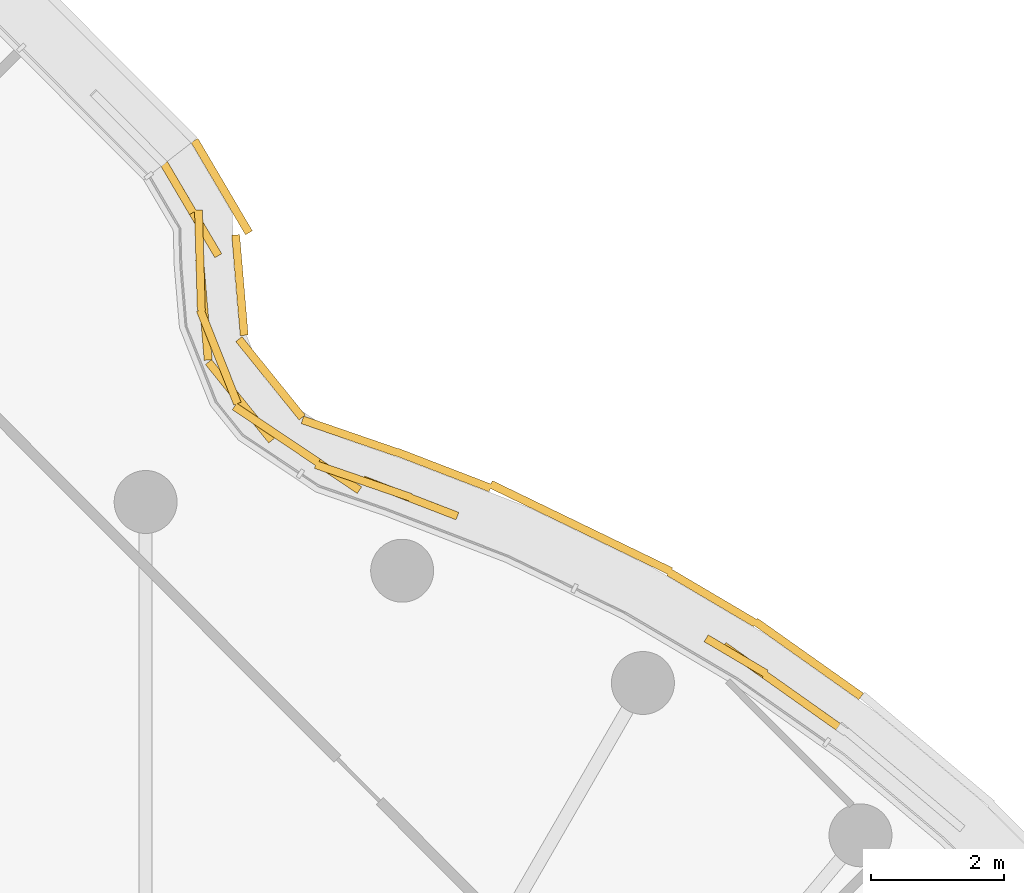
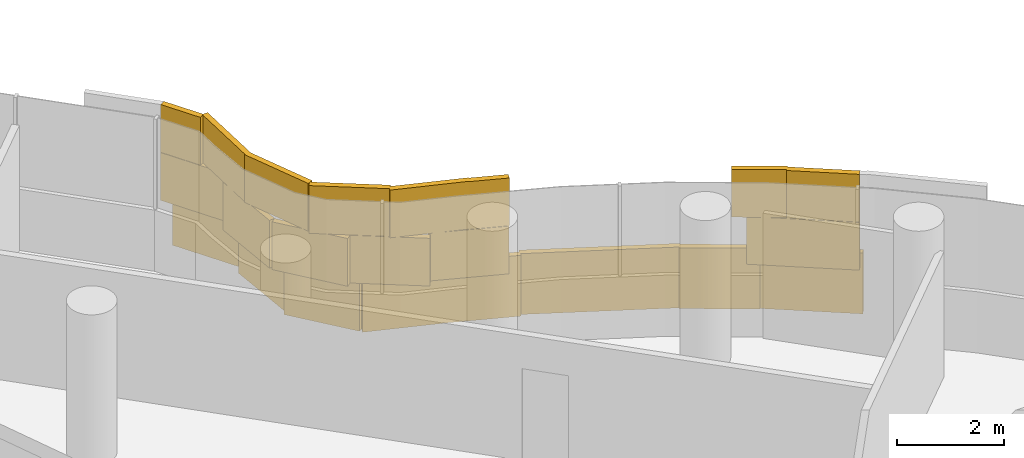
# One storey, part 30 of 31: 1 covering.
"""IFC4 building model written with IfcOpenShell, lengths in metres."""

from ifc_helpers import new_model, si_unit, direction, frame, origin, origin_2d, place, context, subcontext, project, spatial, rectangle, extrude, material, layer, layer_set, type_object, element, save


model = new_model("IFC4")

# Units and contexts
model_context = context("Model", 3, precision=1e-05, world=origin(), true_north=direction((0.0, 1.0)))
body_context = subcontext(model_context, "Body", "Model", "MODEL_VIEW")
ifc_project = project(units=[si_unit("LENGTHUNIT", "METRE"), si_unit("AREAUNIT", "SQUARE_METRE"), si_unit("VOLUMEUNIT", "CUBIC_METRE"), si_unit("PLANEANGLEUNIT", "RADIAN"), si_unit("MASSUNIT", "GRAM", prefix="KILO")], contexts=[model_context])

# Site, building, storey
site_placement = place(None, origin())
site = spatial("IfcSite", under=ifc_project, at=site_placement, CompositionType="ELEMENT")
building_placement = place(site_placement, origin())
building = spatial("IfcBuilding", under=site, at=building_placement, Name="Tamarind Cross Interchange Tower", CompositionType="ELEMENT")
storey_placement = place(building_placement, frame((0.0, 0.0, 196.89990234375)))
storey = spatial("IfcBuildingStorey", under=building, at=storey_placement, Name="L49", CompositionType="ELEMENT", Elevation=196.89990234375)

# Covering
ifc_material = material(Name="Terracotta", Category="masonry")
ifc_layer = layer(ifc_material, 0.1201171875)
ifc_layer_set = layer_set([ifc_layer], Name="Terracotta")
covering_type = type_object("IfcCoveringType", Name="Terracotta baguette screen unit", PredefinedType="MOLDING", material=ifc_layer_set)
covering_placement = place(storey_placement, origin())
element("IfcCovering", 1, at=covering_placement, inside=storey, type_object=covering_type, Name="SCR-L49-02-05", PredefinedType="MOLDING", context=body_context, shape_type="SweptSolid", body=[
    extrude(rectangle(XDim=0.6201171875, YDim=0.1201171875, at=origin_2d()), frame((14.200439453125, 19.4326171875, 1.404296875), z_axis=(0.0, 0.0, 1.0), x_axis=(-0.816341886298, 0.577568978284, 0.0)), (0.0, 0.0, 1.0), 1.092041015625),
    extrude(rectangle(XDim=1.52001953125, YDim=0.1201171875, at=origin_2d()), frame((13.339111328125, 20.0419921875, 1.404296875), z_axis=(0.0, 0.0, 1.0), x_axis=(-0.816341886298, 0.577568978284, 0.0)), (0.0, 0.0, 1.0), 1.092041015625),
    extrude(rectangle(XDim=1.52001953125, YDim=0.1201171875, at=origin_2d()), frame((7.985107421875, 22.71337890625, 1.404296875), z_axis=(0.0, 0.0, 1.0), x_axis=(-0.933146843667, 0.359495435512, 0.0)), (0.0, 0.0, 1.0), 1.092041015625),
    extrude(rectangle(XDim=1.52001953125, YDim=0.1201171875, at=origin_2d()), frame((6.590576171875, 23.25244140625, 1.404296875), z_axis=(0.0, 0.0, 1.0), x_axis=(-0.830711967262, 0.556702458632, 0.0)), (0.0, 0.0, 1.0), 1.092041015625),
    extrude(rectangle(XDim=1.52001953125, YDim=0.1201171875, at=origin_2d()), frame((5.421142578125, 24.171142578125, 1.404296875), z_axis=(0.0, 0.0, 1.0), x_axis=(-0.628273174607, 0.777992813636, 0.0)), (0.0, 0.0, 1.0), 1.092041015625),
    extrude(rectangle(XDim=1.52001953125, YDim=0.1201171875, at=origin_2d()), frame((4.87353515625, 25.551025390625, 1.404296875), z_axis=(0.0, 0.0, 1.0), x_axis=(-0.084883460386, 0.996390886225, 0.0)), (0.0, 0.0, 1.0), 1.092041015625),
    extrude(rectangle(XDim=1.52001953125, YDim=0.1201171875, at=origin_2d()), frame((4.704833984375, 27.02294921875, 1.404296875), z_axis=(0.0, 0.0, 1.0), x_axis=(-0.50736807767, 0.861729443481, 0.0)), (0.0, 0.0, 1.0), 1.092041015625),
    extrude(rectangle(XDim=0.109130859375, YDim=0.1201171875, at=origin_2d()), frame((4.299072265625, 27.7119140625, 1.404296875), z_axis=(0.0, 0.0, 1.0), x_axis=(-0.50736807767, 0.861729443481, 0.0)), (0.0, 0.0, 1.0), 1.092041015625),
    extrude(rectangle(XDim=1.3701171875, YDim=0.1201171875, at=origin_2d()), frame((13.894287109375, 19.649169921875, 2.50390625), z_axis=(0.0, 0.0, 1.0), x_axis=(-0.816341886298, 0.577568978284, 0.0)), (0.0, 0.0, 1.0), 1.092041015625),
    extrude(rectangle(XDim=1.048095703125, YDim=0.1201171875, at=origin_2d()), frame((12.906005859375, 20.3271484375, 2.50390625), z_axis=(0.0, 0.0, 1.0), x_axis=(-0.861248933065, 0.508183308752, 0.0)), (0.0, 0.0, 1.0), 1.092041015625),
    extrude(rectangle(XDim=0.771728515625, YDim=0.1201171875, at=origin_2d()), frame((8.34033203125, 22.576416015625, 2.50390625), z_axis=(0.0, 0.0, 1.0), x_axis=(-0.933146843667, 0.359495435512, 0.0)), (0.0, 0.0, 1.0), 1.092041015625),
    extrude(rectangle(XDim=1.52001953125, YDim=0.1201171875, at=origin_2d()), frame((7.279296875, 22.967041015625, 2.50390625), z_axis=(0.0, 0.0, 1.0), x_axis=(-0.945446581662, 0.325777164982, 0.0)), (0.0, 0.0, 1.0), 1.092041015625),
    extrude(rectangle(XDim=1.52001953125, YDim=0.1201171875, at=origin_2d()), frame((5.967529296875, 23.669921875, 2.50390625), z_axis=(0.0, 0.0, 1.0), x_axis=(-0.830711967262, 0.556702458632, 0.0)), (0.0, 0.0, 1.0), 1.092041015625),
    extrude(rectangle(XDim=1.52001953125, YDim=0.1201171875, at=origin_2d()), frame((5.09912109375, 24.842041015625, 2.50390625), z_axis=(0.0, 0.0, 1.0), x_axis=(-0.369320653252, 0.92930202576, 0.0)), (0.0, 0.0, 1.0), 1.092041015625),
    extrude(rectangle(XDim=1.52001953125, YDim=0.1201171875, at=origin_2d()), frame((4.8134765625, 26.298583984375, 2.50390625), z_axis=(0.0, 0.0, 1.0), x_axis=(-0.028152482558, 0.999603640312, 0.0)), (0.0, 0.0, 1.0), 1.092041015625),
    extrude(rectangle(XDim=0.859130859375, YDim=0.1201171875, at=origin_2d()), frame((4.4892578125, 27.388916015625, 2.50390625), z_axis=(0.0, 0.0, 1.0), x_axis=(-0.50736807767, 0.861729443481, 0.0)), (0.0, 0.0, 1.0), 1.092041015625),
    extrude(rectangle(XDim=0.457763671875, YDim=0.1201171875, at=origin_2d()), frame((14.607177734375, 19.847900390625, 0.004150390625), z_axis=(0.0, 0.0, 1.0), x_axis=(-0.816341886298, 0.577568978284, 0.0)), (0.0, 0.0, 1.0), 1.39208984375),
    extrude(rectangle(XDim=1.52001953125, YDim=0.1201171875, at=origin_2d()), frame((13.816162109375, 20.40771484375, 0.004150390625), z_axis=(0.0, 0.0, 1.0), x_axis=(-0.816341886298, 0.577568978284, 0.0)), (0.0, 0.0, 1.0), 1.39208984375),
    extrude(rectangle(XDim=1.52001953125, YDim=0.1201171875, at=origin_2d()), frame((12.54736328125, 21.205322265625, 0.004150390625), z_axis=(0.0, 0.0, 1.0), x_axis=(-0.861248933065, 0.508183308752, 0.0)), (0.0, 0.0, 1.0), 1.39208984375),
    extrude(rectangle(XDim=1.52001953125, YDim=0.1201171875, at=origin_2d()), frame((11.23779296875, 21.934814453125, 0.004150390625), z_axis=(0.0, 0.0, 1.0), x_axis=(-0.900272776334, 0.435326231914, 0.0)), (0.0, 0.0, 1.0), 1.39208984375),
    extrude(rectangle(XDim=1.52001953125, YDim=0.1201171875, at=origin_2d()), frame((9.887451171875, 22.587890625, 0.004150390625), z_axis=(0.0, 0.0, 1.0), x_axis=(-0.900272776334, 0.435326231914, 0.0)), (0.0, 0.0, 1.0), 1.39208984375),
    extrude(rectangle(XDim=1.52001953125, YDim=0.1201171875, at=origin_2d()), frame((8.49072265625, 23.1337890625, 0.004150390625), z_axis=(0.0, 0.0, 1.0), x_axis=(-0.933146843667, 0.359495435512, 0.0)), (0.0, 0.0, 1.0), 1.39208984375),
    extrude(rectangle(XDim=1.52001953125, YDim=0.1201171875, at=origin_2d()), frame((7.079833984375, 23.642822265625, 0.004150390625), z_axis=(0.0, 0.0, 1.0), x_axis=(-0.945446581662, 0.325777164982, 0.0)), (0.0, 0.0, 1.0), 1.39208984375),
    extrude(rectangle(XDim=1.52001953125, YDim=0.1201171875, at=origin_2d()), frame((5.87890625, 24.517822265625, 0.004150390625), z_axis=(0.0, 0.0, 1.0), x_axis=(-0.628273174607, 0.777992813636, 0.0)), (0.0, 0.0, 1.0), 1.39208984375),
    extrude(rectangle(XDim=1.52001953125, YDim=0.1201171875, at=origin_2d()), frame((5.417724609375, 25.92431640625, 0.004150390625), z_axis=(0.0, 0.0, 1.0), x_axis=(-0.084883460386, 0.996390886225, 0.0)), (0.0, 0.0, 1.0), 1.39208984375),
    extrude(rectangle(XDim=1.52001953125, YDim=0.1201171875, at=origin_2d()), frame((5.16748046875, 27.368408203125, 0.004150390625), z_axis=(0.0, 0.0, 1.0), x_axis=(-0.50736807767, 0.861729443481, 0.0)), (0.0, 0.0, 1.0), 1.39208984375),
    extrude(rectangle(XDim=0.118896484375, YDim=0.1201171875, at=origin_2d()), frame((4.761962890625, 28.057373046875, 0.004150390625), z_axis=(0.0, 0.0, 1.0), x_axis=(-0.50736807767, 0.861729443481, 0.0)), (0.0, 0.0, 1.0), 1.39208984375),
])

save(model, "model.ifc")
